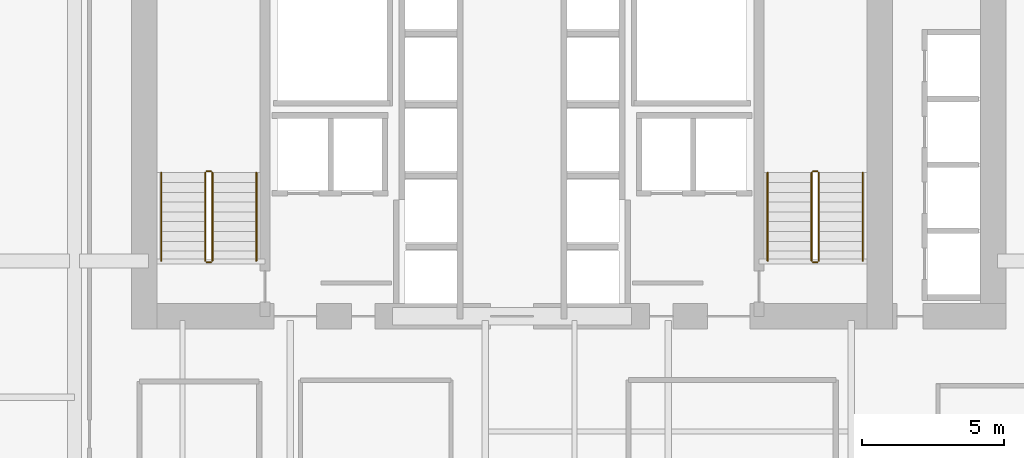
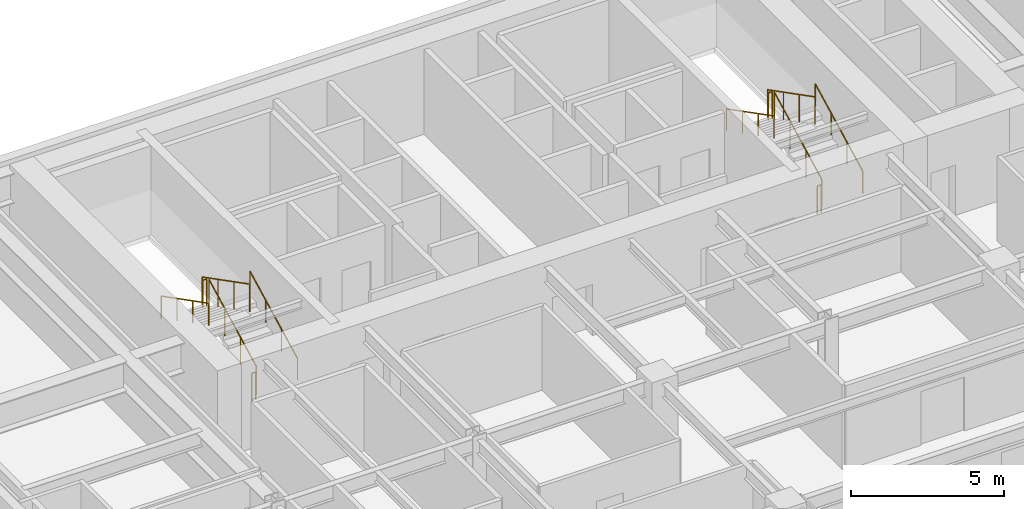
# One storey, part 16 of 16: 12 railings.
"""IFC4 building model written with IfcOpenShell, lengths in metres."""

import ifcopenshell
import ifcopenshell.guid

model = None  # the IFC model being written
_history = None  # IfcOwnerHistory: only IFC2X3 demands one
_inside = {}  # id of a spatial element -> (the spatial element, [elements in it])
_under = {}  # id of a project, library or spatial element -> (it, [spatial elements below it])
_declared = {}  # id of a project -> (the project, [libraries it declares])
_typed = {}  # id of a type object -> (the type object, [elements of that type])
_made_of = {}  # id of a material, layer set ... -> (it, [elements and type objects made of it])


def new_model(schema):
    """Start an empty IFC model of exactly this schema.

    Asked for "IFC4X3", IfcOpenShell would pick the latest addendum, in which some entities
    have other attributes; the version numbers below select the first issue.
    IFC2X3 requires an IfcOwnerHistory on every rooted entity: one is made here for all.
    """
    global model, _history
    if schema == "IFC4X3":
        model = ifcopenshell.file(schema_version=(4, 3, 0, 0))
    else:
        model = ifcopenshell.file(schema=schema)
    _inside.clear()
    _under.clear()
    _declared.clear()
    _typed.clear()
    _made_of.clear()
    _history = None
    if model.schema == "IFC2X3":
        org = make("IfcOrganization", Name="unknown")
        user = make(
            "IfcPersonAndOrganization",
            ThePerson=make("IfcPerson", FamilyName="unknown"),
            TheOrganization=org,
        )
        app = make(
            "IfcApplication",
            ApplicationDeveloper=org,
            Version="unknown",
            ApplicationFullName="unknown",
            ApplicationIdentifier="unknown",
        )
        _history = make(
            "IfcOwnerHistory",
            OwningUser=user,
            OwningApplication=app,
            ChangeAction="ADDED",
            CreationDate=0,
        )
    return model


def make(cls, **values):
    """One entity of the class cls with the attributes given. An attribute that is None is left unset."""
    return model.create_entity(
        cls, **{name: value for name, value in values.items() if value is not None}
    )


def rooted(cls, **values):
    """An entity with a GlobalId (a new one), such as an element, a storey or a relation."""
    return make(cls, GlobalId=ifcopenshell.guid.new(), OwnerHistory=_history, **values)


def si_unit(unit_type, name, prefix=None):
    """IfcSIUnit, for example si_unit("LENGTHUNIT", "METRE", prefix="MILLI")."""
    return make("IfcSIUnit", UnitType=unit_type, Prefix=prefix, Name=name)


def assignment(units):
    """IfcUnitAssignment: the units of a project."""
    return None if units is None else make("IfcUnitAssignment", Units=units)


def point(xyz):
    """IfcCartesianPoint."""
    return None if xyz is None else make("IfcCartesianPoint", Coordinates=xyz)


def direction(xyz):
    """IfcDirection."""
    return None if xyz is None else make("IfcDirection", DirectionRatios=xyz)


def frame(location, z_axis=None, x_axis=None):
    """IfcAxis2Placement3D, a coordinate frame: its origin and axes. An axis left out is left unset."""
    return make(
        "IfcAxis2Placement3D",
        Location=point(location),
        Axis=direction(z_axis),
        RefDirection=direction(x_axis),
    )


def frame_2d(location, x_axis=None):
    """IfcAxis2Placement2D, a coordinate frame in the plane: its origin and x axis."""
    return make(
        "IfcAxis2Placement2D", Location=point(location), RefDirection=direction(x_axis)
    )


def origin():
    """The frame at (0, 0, 0) with its axes left unset."""
    return frame((0.0, 0.0, 0.0))


def origin_2d():
    """The frame at (0, 0) in the plane with its x axis left unset."""
    return frame_2d((0.0, 0.0))


def place(relative_to, where):
    """IfcLocalPlacement: puts the frame where relative to a parent placement (None: the world)."""
    return make(
        "IfcLocalPlacement", PlacementRelTo=relative_to, RelativePlacement=where
    )


def context(
    kind, dimensions, precision=None, world=None, true_north=None, identifier=None
):
    """IfcGeometricRepresentationContext, for example the 3D "Model" context."""
    return make(
        "IfcGeometricRepresentationContext",
        ContextIdentifier=identifier,
        ContextType=kind,
        CoordinateSpaceDimension=dimensions,
        Precision=precision,
        WorldCoordinateSystem=world,
        TrueNorth=true_north,
    )


def subcontext(parent, identifier, kind, view, scale=None):
    """IfcGeometricRepresentationSubContext, for example "Body" below "Model"."""
    return make(
        "IfcGeometricRepresentationSubContext",
        ContextIdentifier=identifier,
        ContextType=kind,
        ParentContext=parent,
        TargetScale=scale,
        TargetView=view,
    )


def project(units=None, contexts=None):
    """IfcProject with its units and contexts."""
    return rooted(
        "IfcProject",
        Name="project",
        RepresentationContexts=contexts,
        UnitsInContext=assignment(units),
    )


def spatial(cls, under=None, at=None, **own):
    """A site, building, storey or space (cls), placed at a placement, below another one or the project."""
    s = rooted(cls, ObjectPlacement=at, **own)
    if under is not None:
        _under.setdefault(under.id(), (under, []))[1].append(s)
    return s


def profile(cls, at=None, kind="AREA", **sizes):
    """A parametric profile (cls). Its sizes go by their IFC names, for example OverallWidth=200.0."""
    return make(cls, ProfileType=kind, Position=at, **sizes)


def circle(**sizes):
    """IfcCircleProfileDef."""
    return profile("IfcCircleProfileDef", **sizes)


def extrude(swept, where, along, depth):
    """IfcExtrudedAreaSolid: the profile swept, set in the frame where, extruded along a direction by depth."""
    return make(
        "IfcExtrudedAreaSolid",
        SweptArea=swept,
        Position=where,
        ExtrudedDirection=direction(along),
        Depth=depth,
    )


def shape(context_of_items, identifier, shape_type, items):
    """IfcShapeRepresentation: the items that make up one representation, for example the "Body"."""
    return make(
        "IfcShapeRepresentation",
        ContextOfItems=context_of_items,
        RepresentationIdentifier=identifier,
        RepresentationType=shape_type,
        Items=items,
    )


def material(Name=None, Category=None):
    """IfcMaterial."""
    return make("IfcMaterial", Name=Name, Category=Category)


def made_of(thing, what):
    """Note that an element or type object is made of a material, layer set ...; save() writes the relation."""
    if what is not None:
        _made_of.setdefault(what.id(), (what, []))[1].append(thing)
    return thing


def type_object(cls, material=None, **own):
    """A type object (cls), such as IfcWallType, which elements share."""
    return made_of(rooted(cls, **own), material)


def element(
    cls,
    number,
    at=None,
    inside=None,
    cuts=None,
    type_object=None,
    material=None,
    context=None,
    identifier="Body",
    shape_type=None,
    held_by="IfcProductDefinitionShape",
    body=None,
    shapes=None,
    **own,
):
    """One element of the class cls, such as IfcWall. Its Tag is "e" and its number.

    at: its placement. inside: the storey or other place that contains it. cuts: it is an
    opening in that element (IfcRelVoidsElement). A single representation is given by context,
    identifier, shape_type and body (its items); several are given by shapes. held_by: the class
    of the entity that holds the representations. save() writes the other relations.
    """
    e = rooted(cls, Tag="e%d" % number, ObjectPlacement=at, **own)
    if body is not None:
        shapes = [shape(context, identifier, shape_type, body)]
    if shapes is not None:
        e.Representation = make(held_by, Representations=shapes)
    if inside is not None:
        _inside.setdefault(inside.id(), (inside, []))[1].append(e)
    if cuts is not None:
        rooted(
            "IfcRelVoidsElement", RelatingBuildingElement=cuts, RelatedOpeningElement=e
        )
    if type_object is not None:
        _typed.setdefault(type_object.id(), (type_object, []))[1].append(e)
    return made_of(e, material)


def aggregate(whole, parts):
    """IfcRelAggregates: a whole, such as a stair, and the parts it consists of."""
    return rooted("IfcRelAggregates", RelatingObject=whole, RelatedObjects=parts)


def save(model, path):
    """Write the relations noted so far, then the file.

    IfcRelAggregates (storeys below a building ...), IfcRelContainedInSpatialStructure (elements
    in a storey), IfcRelDefinesByType, IfcRelAssociatesMaterial and IfcRelDeclares: one each for
    every whole, place, type object, material and project.
    """
    for whole, parts in _under.values():
        aggregate(whole, parts)
    for where, things in _inside.values():
        rooted(
            "IfcRelContainedInSpatialStructure",
            RelatedElements=things,
            RelatingStructure=where,
        )
    for kind, things in _typed.values():
        rooted("IfcRelDefinesByType", RelatedObjects=things, RelatingType=kind)
    for what, things in _made_of.values():
        rooted("IfcRelAssociatesMaterial", RelatedObjects=things, RelatingMaterial=what)
    for by, libraries in _declared.values():
        rooted("IfcRelDeclares", RelatingContext=by, RelatedDefinitions=libraries)
    model.write(path)


model = new_model("IFC4")

# Units and contexts
model_context = context("Model", 3, precision=1e-05, world=origin(), true_north=direction((0.0, 1.0)))
body_context = subcontext(model_context, "Body", "Model", "MODEL_VIEW")
ifc_project = project(units=[si_unit("LENGTHUNIT", "METRE"), si_unit("AREAUNIT", "SQUARE_METRE"), si_unit("VOLUMEUNIT", "CUBIC_METRE"), si_unit("PLANEANGLEUNIT", "RADIAN"), si_unit("MASSUNIT", "GRAM", prefix="KILO")], contexts=[model_context])

# Site, building, storey
site_placement = place(None, origin())
site = spatial("IfcSite", under=ifc_project, at=site_placement, CompositionType="ELEMENT")
building_placement = place(site_placement, origin())
building = spatial("IfcBuilding", under=site, at=building_placement, Name="Tolvann Quenvar Hotel", CompositionType="ELEMENT")
storey_placement = place(building_placement, frame((0.0, 0.0, 71.050048828125)))
storey = spatial("IfcBuildingStorey", under=building, at=storey_placement, Name="L17", CompositionType="ELEMENT", Elevation=71.050048828125)

# Railings
ifc_material = material(Name="Brushed 316 stainless steel balustrade and handrail", Category="steel")
railing_type_1 = type_object("IfcRailingType", Name="GUARDRAIL", PredefinedType="GUARDRAIL", material=ifc_material)
railing_1_placement = place(storey_placement, frame((12.449951171875, 34.0, 0.177490234375)))
element("IfcRailing", 1, at=railing_1_placement, inside=storey, type_object=railing_type_1, Name="L17 ST-C1 stair guard 1", PredefinedType="GUARDRAIL", context=body_context, shape_type="SweptSolid", body=[
    extrude(circle(Radius=0.02392578125, at=origin_2d()), frame((0.0, 0.0, 1.09619140625), z_axis=(0.0, 0.889221982265, 0.45747597342), x_axis=(-1.0, 0.0, 0.0)), (0.0, 0.0, 1.0), 3.49169921875),
    extrude(circle(Radius=0.02099609375, at=origin_2d()), origin(), (0.0, 0.0, 1.0), 1.072021484375),
    extrude(circle(Radius=0.02099609375, at=origin_2d()), frame((0.0, 1.034912109375, 0.532470703125)), (0.0, 0.0, 1.0), 1.072021484375),
    extrude(circle(Radius=0.02099609375, at=origin_2d()), frame((0.0, 2.070068359375, 1.06494140625)), (0.0, 0.0, 1.0), 1.072021484375),
    extrude(circle(Radius=0.02099609375, at=origin_2d()), frame((0.0, 3.10498046875, 1.597412109375)), (0.0, 0.0, 1.0), 1.072021484375),
])
railing_2_placement = place(storey_placement, frame((12.39990234375, 37.155029296875, 1.77490234375)))
element("IfcRailing", 2, at=railing_2_placement, inside=storey, type_object=railing_type_1, Name="L17 ST-C1 stair guard 2", PredefinedType="GUARDRAIL", context=body_context, shape_type="SweptSolid", body=[
    extrude(circle(Radius=0.02392578125, at=origin_2d()), frame((0.0, 0.0, 1.09619140625), z_axis=(-1.0, 0.0, 0.0), x_axis=(0.0, -1.0, 0.0)), (0.0, 0.0, 1.0), 0.14990234375),
    extrude(circle(Radius=0.02099609375, at=origin_2d()), origin(), (0.0, 0.0, 1.0), 1.072021484375),
    extrude(circle(Radius=0.02099609375, at=origin_2d()), frame((-0.14990234375, 0.0, 0.0)), (0.0, 0.0, 1.0), 1.072021484375),
])
railing_3_placement = place(storey_placement, frame((12.199951171875, 37.10498046875, 1.952392578125)))
element("IfcRailing", 3, at=railing_3_placement, inside=storey, type_object=railing_type_1, Name="L17 ST-C1 stair guard 3", PredefinedType="GUARDRAIL", context=body_context, shape_type="SweptSolid", body=[
    extrude(circle(Radius=0.02392578125, at=origin_2d()), frame((0.0, 0.0, 1.09619140625), z_axis=(0.0, -0.88919353882, 0.457531256332), x_axis=(1.0, 0.0, 0.0)), (0.0, 0.0, 1.0), 3.491943359375),
    extrude(circle(Radius=0.02099609375, at=origin_2d()), origin(), (0.0, 0.0, 1.0), 1.072021484375),
    extrude(circle(Radius=0.02099609375, at=origin_2d()), frame((0.0, -1.034912109375, 0.532470703125)), (0.0, 0.0, 1.0), 1.072021484375),
    extrude(circle(Radius=0.02099609375, at=origin_2d()), frame((0.0, -2.070068359375, 1.065185546875)), (0.0, 0.0, 1.0), 1.072021484375),
    extrude(circle(Radius=0.02099609375, at=origin_2d()), frame((0.0, -3.10498046875, 1.59765625)), (0.0, 0.0, 1.0), 1.072021484375),
])
railing_4_placement = place(storey_placement, frame((12.39990234375, 33.949951171875, 0.0)))
element("IfcRailing", 4, at=railing_4_placement, inside=storey, type_object=railing_type_1, Name="L17 ST-C1 stair guard 4", PredefinedType="GUARDRAIL", context=body_context, shape_type="SweptSolid", body=[
    extrude(circle(Radius=0.02392578125, at=origin_2d()), frame((0.0, 0.0, 1.09619140625), z_axis=(-1.0, 0.0, 0.0), x_axis=(0.0, -1.0, 0.0)), (0.0, 0.0, 1.0), 0.14990234375),
    extrude(circle(Radius=0.02099609375, at=origin_2d()), origin(), (0.0, 0.0, 1.0), 1.072021484375),
    extrude(circle(Radius=0.02099609375, at=origin_2d()), frame((-0.14990234375, 0.0, 0.0)), (0.0, 0.0, 1.0), 1.072021484375),
])
railing_5_placement = place(storey_placement, frame((33.800048828125, 34.0, 0.177490234375)))
element("IfcRailing", 5, at=railing_5_placement, inside=storey, type_object=railing_type_1, Name="L17 ST-C2 stair guard 1", PredefinedType="GUARDRAIL", context=body_context, shape_type="SweptSolid", body=[
    extrude(circle(Radius=0.02392578125, at=origin_2d()), frame((0.0, 0.0, 1.09619140625), z_axis=(0.0, 0.889221982265, 0.45747597342), x_axis=(-1.0, 0.0, 0.0)), (0.0, 0.0, 1.0), 3.49169921875),
    extrude(circle(Radius=0.02099609375, at=origin_2d()), origin(), (0.0, 0.0, 1.0), 1.072021484375),
    extrude(circle(Radius=0.02099609375, at=origin_2d()), frame((0.0, 1.034912109375, 0.532470703125)), (0.0, 0.0, 1.0), 1.072021484375),
    extrude(circle(Radius=0.02099609375, at=origin_2d()), frame((0.0, 2.070068359375, 1.06494140625)), (0.0, 0.0, 1.0), 1.072021484375),
    extrude(circle(Radius=0.02099609375, at=origin_2d()), frame((0.0, 3.10498046875, 1.597412109375)), (0.0, 0.0, 1.0), 1.072021484375),
])
railing_6_placement = place(storey_placement, frame((33.75, 37.155029296875, 1.77490234375)))
element("IfcRailing", 6, at=railing_6_placement, inside=storey, type_object=railing_type_1, Name="L17 ST-C2 stair guard 2", PredefinedType="GUARDRAIL", context=body_context, shape_type="SweptSolid", body=[
    extrude(circle(Radius=0.02392578125, at=origin_2d()), frame((0.0, 0.0, 1.09619140625), z_axis=(-1.0, 0.0, 0.0), x_axis=(0.0, -1.0, 0.0)), (0.0, 0.0, 1.0), 0.14990234375),
    extrude(circle(Radius=0.02099609375, at=origin_2d()), origin(), (0.0, 0.0, 1.0), 1.072021484375),
    extrude(circle(Radius=0.02099609375, at=origin_2d()), frame((-0.14990234375, 0.0, 0.0)), (0.0, 0.0, 1.0), 1.072021484375),
])
railing_7_placement = place(storey_placement, frame((33.550048828125, 37.10498046875, 1.952392578125)))
element("IfcRailing", 7, at=railing_7_placement, inside=storey, type_object=railing_type_1, Name="L17 ST-C2 stair guard 3", PredefinedType="GUARDRAIL", context=body_context, shape_type="SweptSolid", body=[
    extrude(circle(Radius=0.02392578125, at=origin_2d()), frame((0.0, 0.0, 1.09619140625), z_axis=(0.0, -0.88919353882, 0.457531256332), x_axis=(1.0, 0.0, 0.0)), (0.0, 0.0, 1.0), 3.491943359375),
    extrude(circle(Radius=0.02099609375, at=origin_2d()), origin(), (0.0, 0.0, 1.0), 1.072021484375),
    extrude(circle(Radius=0.02099609375, at=origin_2d()), frame((0.0, -1.034912109375, 0.532470703125)), (0.0, 0.0, 1.0), 1.072021484375),
    extrude(circle(Radius=0.02099609375, at=origin_2d()), frame((0.0, -2.070068359375, 1.065185546875)), (0.0, 0.0, 1.0), 1.072021484375),
    extrude(circle(Radius=0.02099609375, at=origin_2d()), frame((0.0, -3.10498046875, 1.59765625)), (0.0, 0.0, 1.0), 1.072021484375),
])
railing_8_placement = place(storey_placement, frame((33.75, 33.949951171875, 0.0)))
element("IfcRailing", 8, at=railing_8_placement, inside=storey, type_object=railing_type_1, Name="L17 ST-C2 stair guard 4", PredefinedType="GUARDRAIL", context=body_context, shape_type="SweptSolid", body=[
    extrude(circle(Radius=0.02392578125, at=origin_2d()), frame((0.0, 0.0, 1.09619140625), z_axis=(-1.0, 0.0, 0.0), x_axis=(0.0, -1.0, 0.0)), (0.0, 0.0, 1.0), 0.14990234375),
    extrude(circle(Radius=0.02099609375, at=origin_2d()), origin(), (0.0, 0.0, 1.0), 1.072021484375),
    extrude(circle(Radius=0.02099609375, at=origin_2d()), frame((-0.14990234375, 0.0, 0.0)), (0.0, 0.0, 1.0), 1.072021484375),
])
railing_type_2 = type_object("IfcRailingType", Name="HANDRAIL", PredefinedType="HANDRAIL", material=ifc_material)
railing_9_placement = place(storey_placement, frame((14.0, 34.0, 0.177490234375)))
element("IfcRailing", 9, at=railing_9_placement, inside=storey, type_object=railing_type_2, Name="L17 ST-C1 stair handrail 1", PredefinedType="HANDRAIL", context=body_context, shape_type="SweptSolid", body=[
    extrude(circle(Radius=0.02392578125, at=origin_2d()), frame((0.0, 0.0, 0.8759765625), z_axis=(0.0, 0.889221982265, 0.45747597342), x_axis=(-1.0, 0.0, 0.0)), (0.0, 0.0, 1.0), 3.49169921875),
    extrude(circle(Radius=0.02099609375, at=origin_2d()), origin(), (0.0, 0.0, 1.0), 0.851806640625),
    extrude(circle(Radius=0.02099609375, at=origin_2d()), frame((0.0, 1.034912109375, 0.532470703125)), (0.0, 0.0, 1.0), 0.851806640625),
    extrude(circle(Radius=0.02099609375, at=origin_2d()), frame((0.0, 2.070068359375, 1.06494140625)), (0.0, 0.0, 1.0), 0.851806640625),
    extrude(circle(Radius=0.02099609375, at=origin_2d()), frame((0.0, 3.10498046875, 1.597412109375)), (0.0, 0.0, 1.0), 0.851806640625),
])
railing_10_placement = place(storey_placement, frame((10.64990234375, 37.10498046875, 1.952392578125)))
element("IfcRailing", 10, at=railing_10_placement, inside=storey, type_object=railing_type_2, Name="L17 ST-C1 stair handrail 2", PredefinedType="HANDRAIL", context=body_context, shape_type="SweptSolid", body=[
    extrude(circle(Radius=0.02392578125, at=origin_2d()), frame((0.0, 0.0, 0.8759765625), z_axis=(0.0, -0.88919353882, 0.457531256332), x_axis=(1.0, 0.0, 0.0)), (0.0, 0.0, 1.0), 3.491943359375),
    extrude(circle(Radius=0.02099609375, at=origin_2d()), origin(), (0.0, 0.0, 1.0), 0.851806640625),
    extrude(circle(Radius=0.02099609375, at=origin_2d()), frame((0.0, -1.034912109375, 0.532470703125)), (0.0, 0.0, 1.0), 0.851806640625),
    extrude(circle(Radius=0.02099609375, at=origin_2d()), frame((0.0, -2.070068359375, 1.065185546875)), (0.0, 0.0, 1.0), 0.851806640625),
    extrude(circle(Radius=0.02099609375, at=origin_2d()), frame((0.0, -3.10498046875, 1.59765625)), (0.0, 0.0, 1.0), 0.851806640625),
])
railing_11_placement = place(storey_placement, frame((35.35009765625, 34.0, 0.177490234375)))
element("IfcRailing", 11, at=railing_11_placement, inside=storey, type_object=railing_type_2, Name="L17 ST-C2 stair handrail 1", PredefinedType="HANDRAIL", context=body_context, shape_type="SweptSolid", body=[
    extrude(circle(Radius=0.02392578125, at=origin_2d()), frame((0.0, 0.0, 0.8759765625), z_axis=(0.0, 0.889221982265, 0.45747597342), x_axis=(-1.0, 0.0, 0.0)), (0.0, 0.0, 1.0), 3.49169921875),
    extrude(circle(Radius=0.02099609375, at=origin_2d()), origin(), (0.0, 0.0, 1.0), 0.851806640625),
    extrude(circle(Radius=0.02099609375, at=origin_2d()), frame((0.0, 1.034912109375, 0.532470703125)), (0.0, 0.0, 1.0), 0.851806640625),
    extrude(circle(Radius=0.02099609375, at=origin_2d()), frame((0.0, 2.070068359375, 1.06494140625)), (0.0, 0.0, 1.0), 0.851806640625),
    extrude(circle(Radius=0.02099609375, at=origin_2d()), frame((0.0, 3.10498046875, 1.597412109375)), (0.0, 0.0, 1.0), 0.851806640625),
])
railing_12_placement = place(storey_placement, frame((32.0, 37.10498046875, 1.952392578125)))
element("IfcRailing", 12, at=railing_12_placement, inside=storey, type_object=railing_type_2, Name="L17 ST-C2 stair handrail 2", PredefinedType="HANDRAIL", context=body_context, shape_type="SweptSolid", body=[
    extrude(circle(Radius=0.02392578125, at=origin_2d()), frame((0.0, 0.0, 0.8759765625), z_axis=(0.0, -0.88919353882, 0.457531256332), x_axis=(1.0, 0.0, 0.0)), (0.0, 0.0, 1.0), 3.491943359375),
    extrude(circle(Radius=0.02099609375, at=origin_2d()), origin(), (0.0, 0.0, 1.0), 0.851806640625),
    extrude(circle(Radius=0.02099609375, at=origin_2d()), frame((0.0, -1.034912109375, 0.532470703125)), (0.0, 0.0, 1.0), 0.851806640625),
    extrude(circle(Radius=0.02099609375, at=origin_2d()), frame((0.0, -2.070068359375, 1.065185546875)), (0.0, 0.0, 1.0), 0.851806640625),
    extrude(circle(Radius=0.02099609375, at=origin_2d()), frame((0.0, -3.10498046875, 1.59765625)), (0.0, 0.0, 1.0), 0.851806640625),
])

save(model, "model.ifc")
